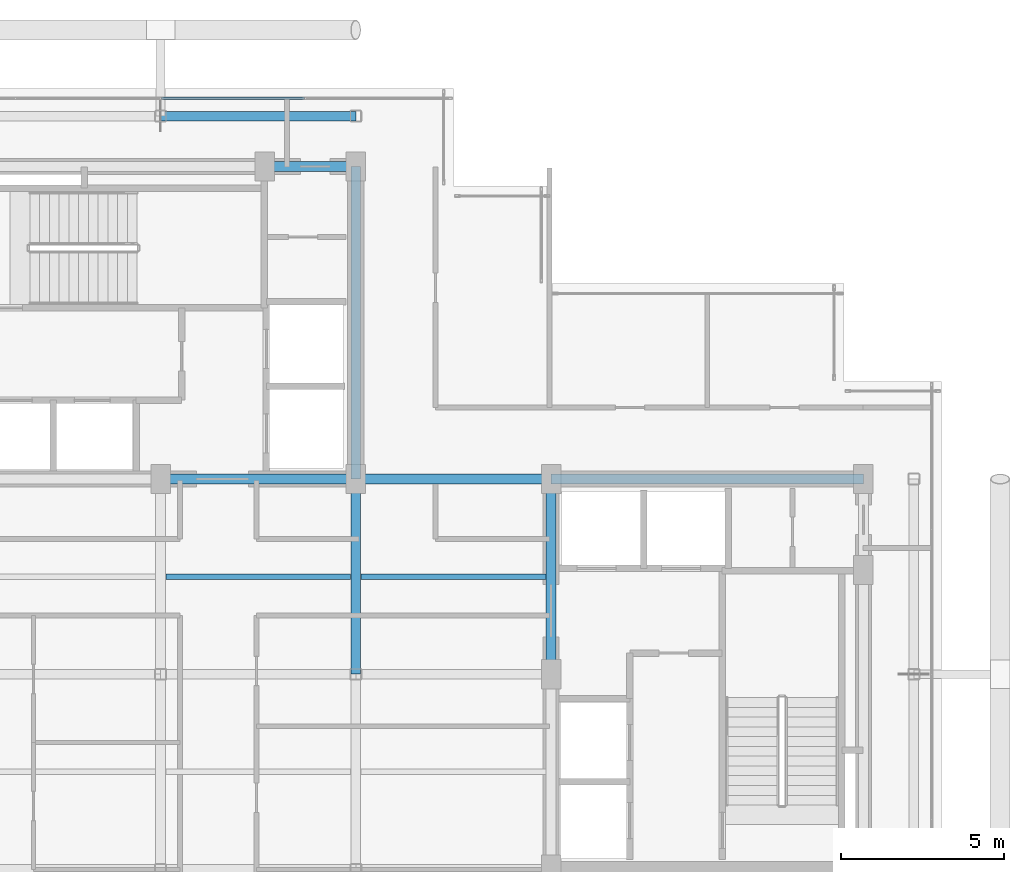
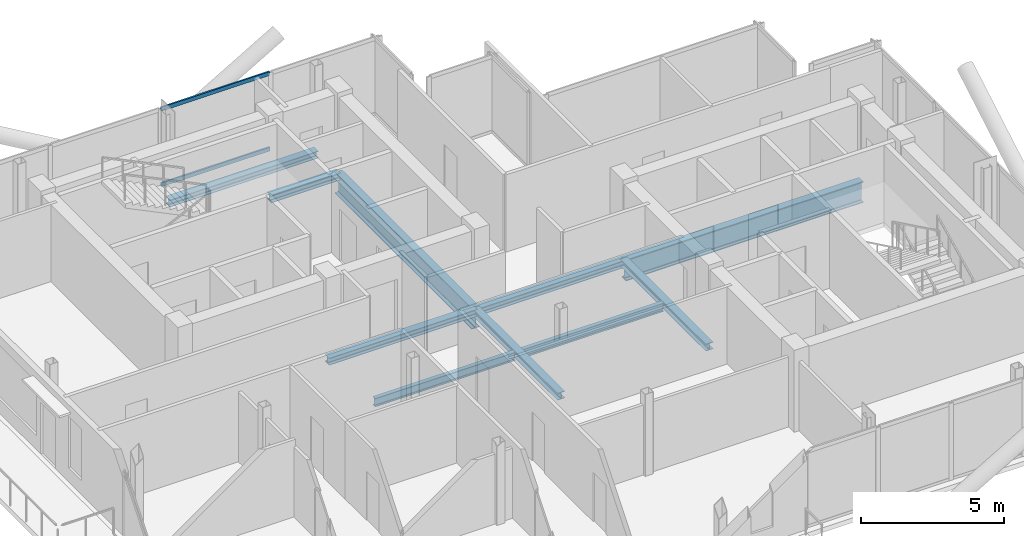
# One storey, part 9 of 18: 10 beams, 2 members, 1 element without a shape of its own.
"""IFC4 building model written with IfcOpenShell, lengths in metres."""

import ifcopenshell
import ifcopenshell.guid

model = None  # the IFC model being written
_history = None  # IfcOwnerHistory: only IFC2X3 demands one
_inside = {}  # id of a spatial element -> (the spatial element, [elements in it])
_under = {}  # id of a project, library or spatial element -> (it, [spatial elements below it])
_declared = {}  # id of a project -> (the project, [libraries it declares])
_typed = {}  # id of a type object -> (the type object, [elements of that type])
_made_of = {}  # id of a material, layer set ... -> (it, [elements and type objects made of it])


def new_model(schema):
    """Start an empty IFC model of exactly this schema.

    Asked for "IFC4X3", IfcOpenShell would pick the latest addendum, in which some entities
    have other attributes; the version numbers below select the first issue.
    IFC2X3 requires an IfcOwnerHistory on every rooted entity: one is made here for all.
    """
    global model, _history
    if schema == "IFC4X3":
        model = ifcopenshell.file(schema_version=(4, 3, 0, 0))
    else:
        model = ifcopenshell.file(schema=schema)
    _inside.clear()
    _under.clear()
    _declared.clear()
    _typed.clear()
    _made_of.clear()
    _history = None
    if model.schema == "IFC2X3":
        org = make("IfcOrganization", Name="unknown")
        user = make(
            "IfcPersonAndOrganization",
            ThePerson=make("IfcPerson", FamilyName="unknown"),
            TheOrganization=org,
        )
        app = make(
            "IfcApplication",
            ApplicationDeveloper=org,
            Version="unknown",
            ApplicationFullName="unknown",
            ApplicationIdentifier="unknown",
        )
        _history = make(
            "IfcOwnerHistory",
            OwningUser=user,
            OwningApplication=app,
            ChangeAction="ADDED",
            CreationDate=0,
        )
    return model


def make(cls, **values):
    """One entity of the class cls with the attributes given. An attribute that is None is left unset."""
    return model.create_entity(
        cls, **{name: value for name, value in values.items() if value is not None}
    )


def rooted(cls, **values):
    """An entity with a GlobalId (a new one), such as an element, a storey or a relation."""
    return make(cls, GlobalId=ifcopenshell.guid.new(), OwnerHistory=_history, **values)


def si_unit(unit_type, name, prefix=None):
    """IfcSIUnit, for example si_unit("LENGTHUNIT", "METRE", prefix="MILLI")."""
    return make("IfcSIUnit", UnitType=unit_type, Prefix=prefix, Name=name)


def assignment(units):
    """IfcUnitAssignment: the units of a project."""
    return None if units is None else make("IfcUnitAssignment", Units=units)


def point(xyz):
    """IfcCartesianPoint."""
    return None if xyz is None else make("IfcCartesianPoint", Coordinates=xyz)


def direction(xyz):
    """IfcDirection."""
    return None if xyz is None else make("IfcDirection", DirectionRatios=xyz)


def frame(location, z_axis=None, x_axis=None):
    """IfcAxis2Placement3D, a coordinate frame: its origin and axes. An axis left out is left unset."""
    return make(
        "IfcAxis2Placement3D",
        Location=point(location),
        Axis=direction(z_axis),
        RefDirection=direction(x_axis),
    )


def frame_2d(location, x_axis=None):
    """IfcAxis2Placement2D, a coordinate frame in the plane: its origin and x axis."""
    return make(
        "IfcAxis2Placement2D", Location=point(location), RefDirection=direction(x_axis)
    )


def origin():
    """The frame at (0, 0, 0) with its axes left unset."""
    return frame((0.0, 0.0, 0.0))


def origin_2d():
    """The frame at (0, 0) in the plane with its x axis left unset."""
    return frame_2d((0.0, 0.0))


def place(relative_to, where):
    """IfcLocalPlacement: puts the frame where relative to a parent placement (None: the world)."""
    return make(
        "IfcLocalPlacement", PlacementRelTo=relative_to, RelativePlacement=where
    )


def context(
    kind, dimensions, precision=None, world=None, true_north=None, identifier=None
):
    """IfcGeometricRepresentationContext, for example the 3D "Model" context."""
    return make(
        "IfcGeometricRepresentationContext",
        ContextIdentifier=identifier,
        ContextType=kind,
        CoordinateSpaceDimension=dimensions,
        Precision=precision,
        WorldCoordinateSystem=world,
        TrueNorth=true_north,
    )


def subcontext(parent, identifier, kind, view, scale=None):
    """IfcGeometricRepresentationSubContext, for example "Body" below "Model"."""
    return make(
        "IfcGeometricRepresentationSubContext",
        ContextIdentifier=identifier,
        ContextType=kind,
        ParentContext=parent,
        TargetScale=scale,
        TargetView=view,
    )


def project(units=None, contexts=None):
    """IfcProject with its units and contexts."""
    return rooted(
        "IfcProject",
        Name="project",
        RepresentationContexts=contexts,
        UnitsInContext=assignment(units),
    )


def spatial(cls, under=None, at=None, **own):
    """A site, building, storey or space (cls), placed at a placement, below another one or the project."""
    s = rooted(cls, ObjectPlacement=at, **own)
    if under is not None:
        _under.setdefault(under.id(), (under, []))[1].append(s)
    return s


def profile(cls, at=None, kind="AREA", **sizes):
    """A parametric profile (cls). Its sizes go by their IFC names, for example OverallWidth=200.0."""
    return make(cls, ProfileType=kind, Position=at, **sizes)


def hollow_rectangle(**sizes):
    """IfcRectangleHollowProfileDef."""
    return profile("IfcRectangleHollowProfileDef", **sizes)


def i_section(**sizes):
    """IfcIShapeProfileDef."""
    return profile("IfcIShapeProfileDef", **sizes)


def extrude(swept, where, along, depth):
    """IfcExtrudedAreaSolid: the profile swept, set in the frame where, extruded along a direction by depth."""
    return make(
        "IfcExtrudedAreaSolid",
        SweptArea=swept,
        Position=where,
        ExtrudedDirection=direction(along),
        Depth=depth,
    )


def shape(context_of_items, identifier, shape_type, items):
    """IfcShapeRepresentation: the items that make up one representation, for example the "Body"."""
    return make(
        "IfcShapeRepresentation",
        ContextOfItems=context_of_items,
        RepresentationIdentifier=identifier,
        RepresentationType=shape_type,
        Items=items,
    )


def material(Name=None, Category=None):
    """IfcMaterial."""
    return make("IfcMaterial", Name=Name, Category=Category)


def layer(
    of_material, thickness, ventilated=None, Name=None, Category=None, Priority=None
):
    """IfcMaterialLayer: one layer of a wall or slab, of a material (None: an air gap)."""
    return make(
        "IfcMaterialLayer",
        Material=of_material,
        LayerThickness=thickness,
        IsVentilated=ventilated,
        Name=Name,
        Category=Category,
        Priority=Priority,
    )


def layer_set(layers, Name=None):
    """IfcMaterialLayerSet."""
    return make("IfcMaterialLayerSet", MaterialLayers=layers, LayerSetName=Name)


def material_profile(
    of_material, cross_section, Name=None, Category=None, Priority=None
):
    """IfcMaterialProfile: a cross section and its material."""
    return make(
        "IfcMaterialProfile",
        Name=Name,
        Material=of_material,
        Profile=cross_section,
        Priority=Priority,
        Category=Category,
    )


def profile_set(profiles, Name=None, composite=None):
    """IfcMaterialProfileSet."""
    return make(
        "IfcMaterialProfileSet",
        Name=Name,
        MaterialProfiles=profiles,
        CompositeProfile=composite,
    )


def made_of(thing, what):
    """Note that an element or type object is made of a material, layer set ...; save() writes the relation."""
    if what is not None:
        _made_of.setdefault(what.id(), (what, []))[1].append(thing)
    return thing


def type_object(cls, material=None, **own):
    """A type object (cls), such as IfcWallType, which elements share."""
    return made_of(rooted(cls, **own), material)


def element(
    cls,
    number,
    at=None,
    inside=None,
    cuts=None,
    type_object=None,
    material=None,
    context=None,
    identifier="Body",
    shape_type=None,
    held_by="IfcProductDefinitionShape",
    body=None,
    shapes=None,
    **own,
):
    """One element of the class cls, such as IfcWall. Its Tag is "e" and its number.

    at: its placement. inside: the storey or other place that contains it. cuts: it is an
    opening in that element (IfcRelVoidsElement). A single representation is given by context,
    identifier, shape_type and body (its items); several are given by shapes. held_by: the class
    of the entity that holds the representations. save() writes the other relations.
    """
    e = rooted(cls, Tag="e%d" % number, ObjectPlacement=at, **own)
    if body is not None:
        shapes = [shape(context, identifier, shape_type, body)]
    if shapes is not None:
        e.Representation = make(held_by, Representations=shapes)
    if inside is not None:
        _inside.setdefault(inside.id(), (inside, []))[1].append(e)
    if cuts is not None:
        rooted(
            "IfcRelVoidsElement", RelatingBuildingElement=cuts, RelatedOpeningElement=e
        )
    if type_object is not None:
        _typed.setdefault(type_object.id(), (type_object, []))[1].append(e)
    return made_of(e, material)


def aggregate(whole, parts):
    """IfcRelAggregates: a whole, such as a stair, and the parts it consists of."""
    return rooted("IfcRelAggregates", RelatingObject=whole, RelatedObjects=parts)


def save(model, path):
    """Write the relations noted so far, then the file.

    IfcRelAggregates (storeys below a building ...), IfcRelContainedInSpatialStructure (elements
    in a storey), IfcRelDefinesByType, IfcRelAssociatesMaterial and IfcRelDeclares: one each for
    every whole, place, type object, material and project.
    """
    for whole, parts in _under.values():
        aggregate(whole, parts)
    for where, things in _inside.values():
        rooted(
            "IfcRelContainedInSpatialStructure",
            RelatedElements=things,
            RelatingStructure=where,
        )
    for kind, things in _typed.values():
        rooted("IfcRelDefinesByType", RelatedObjects=things, RelatingType=kind)
    for what, things in _made_of.values():
        rooted("IfcRelAssociatesMaterial", RelatedObjects=things, RelatingMaterial=what)
    for by, libraries in _declared.values():
        rooted("IfcRelDeclares", RelatingContext=by, RelatedDefinitions=libraries)
    model.write(path)


model = new_model("IFC4")

# Units and contexts
model_context = context("Model", 3, precision=1e-05, world=origin(), true_north=direction((0.0, 1.0)))
body_context = subcontext(model_context, "Body", "Model", "MODEL_VIEW")
ifc_project = project(units=[si_unit("LENGTHUNIT", "METRE"), si_unit("AREAUNIT", "SQUARE_METRE"), si_unit("VOLUMEUNIT", "CUBIC_METRE"), si_unit("PLANEANGLEUNIT", "RADIAN"), si_unit("MASSUNIT", "GRAM", prefix="KILO"), si_unit("THERMODYNAMICTEMPERATUREUNIT", "KELVIN"), si_unit("POWERUNIT", "WATT")], contexts=[model_context])

# Site, building, storey
site_placement = place(None, origin())
site = spatial("IfcSite", under=ifc_project, at=site_placement, CompositionType="ELEMENT")
building_placement = place(site_placement, origin())
building = spatial("IfcBuilding", under=site, at=building_placement, Name="Svarakhadi Broadcast Tower", CompositionType="ELEMENT")
storey_placement = place(building_placement, frame((0.0, 0.0, 267.699951171875)))
storey = spatial("IfcBuildingStorey", under=building, at=storey_placement, Name="L67", CompositionType="ELEMENT", Elevation=267.699951171875)

# Beams
ifc_material_1 = material(Name="Steel S355J2 (IS 2062 E350C)", Category="steel")
ifc_material_profile_1 = material_profile(ifc_material_1, i_section(OverallWidth=0.169921875, OverallDepth=0.360107421875, WebThickness=0.008056640625, FlangeThickness=0.0126953125, FilletRadius=0.01806640625, at=origin_2d()), Name="NPB 360x170x57")
ifc_profile_set_1 = profile_set([ifc_material_profile_1], Name="Steel S355J2 (IS 2062 E350C)")
beam_type_1 = type_object("IfcBeamType", Name="Beam_NPB360", PredefinedType="BEAM", material=ifc_profile_set_1)
for number, where, z_axis, x_axis, name in (
    (1, (12.159912109375, 15.0, -0.3798828125), (1.0, 0.0, 0.0), (0.0, 1.0, 0.0), "L67 Secondary Composite Beam SB009"),
    (2, (18.159912109375, 15.0, -0.3798828125), (1.0, 0.0, 0.0), (0.0, 1.0, 0.0), "L67 Secondary Composite Beam SB012"),
):
    element("IfcBeam", number, at=place(storey_placement, frame(where, z_axis=z_axis, x_axis=x_axis)), inside=storey, type_object=beam_type_1, Name=name, PredefinedType="BEAM", context=body_context, shape_type="SweptSolid", body=[
        extrude(i_section(OverallWidth=0.169921875, OverallDepth=0.360107421875, WebThickness=0.008056640625, FlangeThickness=0.0126953125, FilletRadius=0.01806640625, at=origin_2d()), origin(), (0.0, 0.0, 1.0), 5.68017578125),
    ])

# Curtain wall, members
ifc_material_2 = material(Name="Anodised Bronze Aluminium AA 6063-T6", Category="aluminium")
ifc_layer = layer(ifc_material_2, 0.179931640625)
ifc_layer_set = layer_set([ifc_layer], Name="Anodised Bronze Aluminium AA 6063-T6")
curtain_wall_type = type_object("IfcCurtainWallType", Name="CW_Sys_05", PredefinedType="NOTDEFINED", material=ifc_layer_set)
curtain_wall_placement = place(storey_placement, origin())
curtain_wall = element("IfcCurtainWall", 3, at=curtain_wall_placement, inside=storey, type_object=curtain_wall_type, Name="L67 Unitised Facade Curtain Wall 06", PredefinedType="NOTDEFINED")
ifc_material_profile_2 = material_profile(ifc_material_2, hollow_rectangle(XDim=0.06494140625, YDim=0.1650390625, WallThickness=0.0048828125, at=origin_2d()), Name="ALU TRANSOM 165x65x5")
ifc_profile_set_2 = profile_set([ifc_material_profile_2], Name="Anodised Bronze Aluminium AA 6063-T6")
member_type = type_object("IfcMemberType", Name="CW_Sys_05_Trn", PredefinedType="USERDEFINED", material=ifc_profile_set_2)
member_1_placement = place(storey_placement, frame((12.034912109375, 29.699951171875, 0.032470703125), z_axis=(1.0, 0.0, 0.0), x_axis=(0.0, 1.0, 0.0)))
member_1 = element("IfcMember", 4, at=member_1_placement, type_object=member_type, Name="CW-05 transom 3.1", ObjectType="TRANSOM", PredefinedType="USERDEFINED", context=body_context, shape_type="SweptSolid", body=[
    extrude(hollow_rectangle(XDim=0.06494140625, YDim=0.1650390625, WallThickness=0.0048828125, at=origin_2d()), origin(), (0.0, 0.0, 1.0), 4.385009765625),
])
member_2_placement = place(storey_placement, frame((12.034912109375, 29.699951171875, 3.267578125), z_axis=(1.0, 0.0, 0.0), x_axis=(0.0, 1.0, 0.0)))
member_2 = element("IfcMember", 5, at=member_2_placement, type_object=member_type, Name="CW-05 transom 3.2", ObjectType="TRANSOM", PredefinedType="USERDEFINED", context=body_context, shape_type="SweptSolid", body=[
    extrude(hollow_rectangle(XDim=0.06494140625, YDim=0.1650390625, WallThickness=0.0048828125, at=origin_2d()), origin(), (0.0, 0.0, 1.0), 4.385009765625),
])
aggregate(curtain_wall, [member_1, member_2])

# Beams
ifc_material_profile_3 = material_profile(ifc_material_1, i_section(OverallWidth=0.300048828125, OverallDepth=0.300048828125, WebThickness=0.010986328125, FlangeThickness=0.01904296875, FilletRadius=0.027099609375, at=origin_2d()), Name="WPB 300x300x117")
ifc_profile_set_3 = profile_set([ifc_material_profile_3], Name="Steel S355J2 (IS 2062 E350C)")
beam_type_2 = type_object("IfcBeamType", Name="Girder_WPB300", PredefinedType="USERDEFINED", material=ifc_profile_set_3)
for number, where, z_axis, x_axis, name in (
    (6, (12.0, 18.0, -0.349853515625), (1.0, 0.0, 0.0), (0.0, 1.0, 0.0), "L67 Primary E-W Girder G019"),
    (7, (18.0, 18.0, -0.349853515625), (1.0, 0.0, 0.0), (0.0, 1.0, 0.0), "L67 Primary E-W Girder G020"),
):
    element("IfcBeam", number, at=place(storey_placement, frame(where, z_axis=z_axis, x_axis=x_axis)), inside=storey, type_object=beam_type_2, Name=name, ObjectType="GIRDER", PredefinedType="USERDEFINED", context=body_context, shape_type="SweptSolid", body=[
        extrude(i_section(OverallWidth=0.300048828125, OverallDepth=0.300048828125, WebThickness=0.010986328125, FlangeThickness=0.01904296875, FilletRadius=0.027099609375, at=origin_2d()), origin(), (0.0, 0.0, 1.0), 6.0),
    ])
beam_placement = place(storey_placement, frame((15.199951171875, 27.60009765625, -0.349853515625), z_axis=(1.0, 0.0, 0.0), x_axis=(0.0, 1.0, 0.0)))
element("IfcBeam", 8, at=beam_placement, inside=storey, type_object=beam_type_2, Name="L67 Primary E-W Girder G023", ObjectType="GIRDER", PredefinedType="USERDEFINED", context=body_context, shape_type="SweptSolid", body=[
    extrude(i_section(OverallWidth=0.300048828125, OverallDepth=0.300048828125, WebThickness=0.010986328125, FlangeThickness=0.01904296875, FilletRadius=0.027099609375, at=origin_2d()), origin(), (0.0, 0.0, 1.0), 2.800048828125),
])
for number, where, z_axis, x_axis, name in (
    (9, (12.0, 29.14990234375, -0.349853515625), (1.0, 0.0, 0.0), (0.0, 1.0, 0.0), "L67 Primary E-W Girder G025"),
    (10, (18.0, 12.0, -0.349853515625), (0.0, 1.0, 0.0), (-1.0, 0.0, 0.0), "L67 Primary N-S Girder G038"),
    (11, (24.0, 12.0, -0.349853515625), (0.0, 1.0, 0.0), (-1.0, 0.0, 0.0), "L67 Primary N-S Girder G042"),
):
    element("IfcBeam", number, at=place(storey_placement, frame(where, z_axis=z_axis, x_axis=x_axis)), inside=storey, type_object=beam_type_2, Name=name, ObjectType="GIRDER", PredefinedType="USERDEFINED", context=body_context, shape_type="SweptSolid", body=[
        extrude(i_section(OverallWidth=0.300048828125, OverallDepth=0.300048828125, WebThickness=0.010986328125, FlangeThickness=0.01904296875, FilletRadius=0.027099609375, at=origin_2d()), origin(), (0.0, 0.0, 1.0), 6.0),
    ])
ifc_material_3 = material(Name="Steel S460ML (IS 2062 E450BR)", Category="steel")
ifc_material_profile_4 = material_profile(ifc_material_3, i_section(OverallWidth=0.300048828125, OverallDepth=0.89990234375, WebThickness=0.0185546875, FlangeThickness=0.034912109375, FilletRadius=0.030029296875, at=origin_2d()), Name="WPB 900x300x291")
ifc_profile_set_4 = profile_set([ifc_material_profile_4], Name="Steel S460ML (IS 2062 E450BR)")
beam_type_3 = type_object("IfcBeamType", Name="Girder_WPB900", PredefinedType="USERDEFINED", material=ifc_profile_set_4)
for number, where, z_axis, x_axis, name in (
    (12, (24.0, 18.0, -0.64990234375), (1.0, 0.0, 0.0), (0.0, 1.0, 0.0), "L67 Primary E-W Girder G021"),
    (13, (18.0, 18.0, -0.64990234375), (0.0, 1.0, 0.0), (-1.0, 0.0, 0.0), "L67 Primary N-S Girder G039"),
):
    element("IfcBeam", number, at=place(storey_placement, frame(where, z_axis=z_axis, x_axis=x_axis)), inside=storey, type_object=beam_type_3, Name=name, ObjectType="GIRDER", PredefinedType="USERDEFINED", context=body_context, shape_type="SweptSolid", body=[
        extrude(i_section(OverallWidth=0.300048828125, OverallDepth=0.89990234375, WebThickness=0.0185546875, FlangeThickness=0.034912109375, FilletRadius=0.030029296875, at=origin_2d()), origin(), (0.0, 0.0, 1.0), 9.60009765625),
    ])

save(model, "model.ifc")
